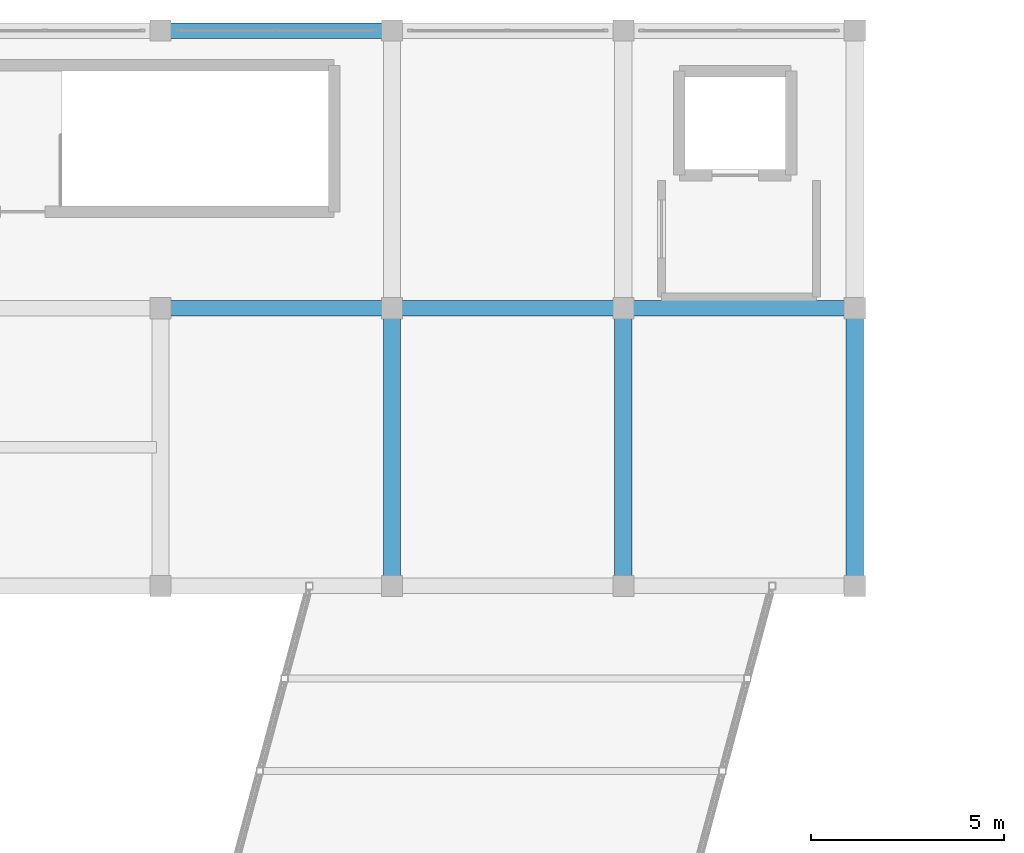
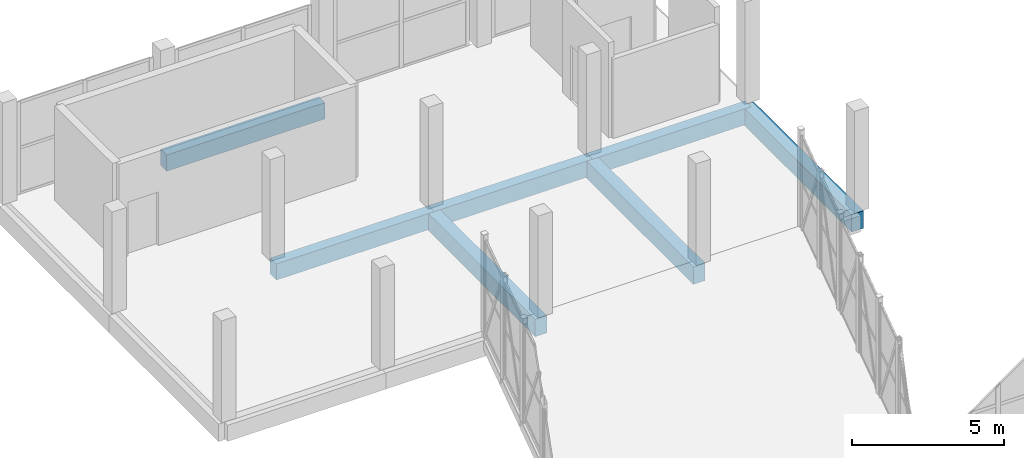
# One storey, part 91 of 127: 7 beams.
"""IFC4 building model written with IfcOpenShell, lengths in metres."""

import ifcopenshell
import ifcopenshell.guid

model = None  # the IFC model being written
_history = None  # IfcOwnerHistory: only IFC2X3 demands one
_inside = {}  # id of a spatial element -> (the spatial element, [elements in it])
_under = {}  # id of a project, library or spatial element -> (it, [spatial elements below it])
_declared = {}  # id of a project -> (the project, [libraries it declares])
_typed = {}  # id of a type object -> (the type object, [elements of that type])
_made_of = {}  # id of a material, layer set ... -> (it, [elements and type objects made of it])


def new_model(schema):
    """Start an empty IFC model of exactly this schema.

    Asked for "IFC4X3", IfcOpenShell would pick the latest addendum, in which some entities
    have other attributes; the version numbers below select the first issue.
    IFC2X3 requires an IfcOwnerHistory on every rooted entity: one is made here for all.
    """
    global model, _history
    if schema == "IFC4X3":
        model = ifcopenshell.file(schema_version=(4, 3, 0, 0))
    else:
        model = ifcopenshell.file(schema=schema)
    _inside.clear()
    _under.clear()
    _declared.clear()
    _typed.clear()
    _made_of.clear()
    _history = None
    if model.schema == "IFC2X3":
        org = make("IfcOrganization", Name="unknown")
        user = make(
            "IfcPersonAndOrganization",
            ThePerson=make("IfcPerson", FamilyName="unknown"),
            TheOrganization=org,
        )
        app = make(
            "IfcApplication",
            ApplicationDeveloper=org,
            Version="unknown",
            ApplicationFullName="unknown",
            ApplicationIdentifier="unknown",
        )
        _history = make(
            "IfcOwnerHistory",
            OwningUser=user,
            OwningApplication=app,
            ChangeAction="ADDED",
            CreationDate=0,
        )
    return model


def make(cls, **values):
    """One entity of the class cls with the attributes given. An attribute that is None is left unset."""
    return model.create_entity(
        cls, **{name: value for name, value in values.items() if value is not None}
    )


def rooted(cls, **values):
    """An entity with a GlobalId (a new one), such as an element, a storey or a relation."""
    return make(cls, GlobalId=ifcopenshell.guid.new(), OwnerHistory=_history, **values)


def si_unit(unit_type, name, prefix=None):
    """IfcSIUnit, for example si_unit("LENGTHUNIT", "METRE", prefix="MILLI")."""
    return make("IfcSIUnit", UnitType=unit_type, Prefix=prefix, Name=name)


def assignment(units):
    """IfcUnitAssignment: the units of a project."""
    return None if units is None else make("IfcUnitAssignment", Units=units)


def point(xyz):
    """IfcCartesianPoint."""
    return None if xyz is None else make("IfcCartesianPoint", Coordinates=xyz)


def direction(xyz):
    """IfcDirection."""
    return None if xyz is None else make("IfcDirection", DirectionRatios=xyz)


def frame(location, z_axis=None, x_axis=None):
    """IfcAxis2Placement3D, a coordinate frame: its origin and axes. An axis left out is left unset."""
    return make(
        "IfcAxis2Placement3D",
        Location=point(location),
        Axis=direction(z_axis),
        RefDirection=direction(x_axis),
    )


def frame_2d(location, x_axis=None):
    """IfcAxis2Placement2D, a coordinate frame in the plane: its origin and x axis."""
    return make(
        "IfcAxis2Placement2D", Location=point(location), RefDirection=direction(x_axis)
    )


def origin():
    """The frame at (0, 0, 0) with its axes left unset."""
    return frame((0.0, 0.0, 0.0))


def origin_2d():
    """The frame at (0, 0) in the plane with its x axis left unset."""
    return frame_2d((0.0, 0.0))


def place(relative_to, where):
    """IfcLocalPlacement: puts the frame where relative to a parent placement (None: the world)."""
    return make(
        "IfcLocalPlacement", PlacementRelTo=relative_to, RelativePlacement=where
    )


def context(
    kind, dimensions, precision=None, world=None, true_north=None, identifier=None
):
    """IfcGeometricRepresentationContext, for example the 3D "Model" context."""
    return make(
        "IfcGeometricRepresentationContext",
        ContextIdentifier=identifier,
        ContextType=kind,
        CoordinateSpaceDimension=dimensions,
        Precision=precision,
        WorldCoordinateSystem=world,
        TrueNorth=true_north,
    )


def subcontext(parent, identifier, kind, view, scale=None):
    """IfcGeometricRepresentationSubContext, for example "Body" below "Model"."""
    return make(
        "IfcGeometricRepresentationSubContext",
        ContextIdentifier=identifier,
        ContextType=kind,
        ParentContext=parent,
        TargetScale=scale,
        TargetView=view,
    )


def project(units=None, contexts=None):
    """IfcProject with its units and contexts."""
    return rooted(
        "IfcProject",
        Name="project",
        RepresentationContexts=contexts,
        UnitsInContext=assignment(units),
    )


def spatial(cls, under=None, at=None, **own):
    """A site, building, storey or space (cls), placed at a placement, below another one or the project."""
    s = rooted(cls, ObjectPlacement=at, **own)
    if under is not None:
        _under.setdefault(under.id(), (under, []))[1].append(s)
    return s


def profile(cls, at=None, kind="AREA", **sizes):
    """A parametric profile (cls). Its sizes go by their IFC names, for example OverallWidth=200.0."""
    return make(cls, ProfileType=kind, Position=at, **sizes)


def rectangle(**sizes):
    """IfcRectangleProfileDef."""
    return profile("IfcRectangleProfileDef", **sizes)


def extrude(swept, where, along, depth):
    """IfcExtrudedAreaSolid: the profile swept, set in the frame where, extruded along a direction by depth."""
    return make(
        "IfcExtrudedAreaSolid",
        SweptArea=swept,
        Position=where,
        ExtrudedDirection=direction(along),
        Depth=depth,
    )


def shape(context_of_items, identifier, shape_type, items):
    """IfcShapeRepresentation: the items that make up one representation, for example the "Body"."""
    return make(
        "IfcShapeRepresentation",
        ContextOfItems=context_of_items,
        RepresentationIdentifier=identifier,
        RepresentationType=shape_type,
        Items=items,
    )


def material(Name=None, Category=None):
    """IfcMaterial."""
    return make("IfcMaterial", Name=Name, Category=Category)


def material_profile(
    of_material, cross_section, Name=None, Category=None, Priority=None
):
    """IfcMaterialProfile: a cross section and its material."""
    return make(
        "IfcMaterialProfile",
        Name=Name,
        Material=of_material,
        Profile=cross_section,
        Priority=Priority,
        Category=Category,
    )


def profile_set(profiles, Name=None, composite=None):
    """IfcMaterialProfileSet."""
    return make(
        "IfcMaterialProfileSet",
        Name=Name,
        MaterialProfiles=profiles,
        CompositeProfile=composite,
    )


def made_of(thing, what):
    """Note that an element or type object is made of a material, layer set ...; save() writes the relation."""
    if what is not None:
        _made_of.setdefault(what.id(), (what, []))[1].append(thing)
    return thing


def type_object(cls, material=None, **own):
    """A type object (cls), such as IfcWallType, which elements share."""
    return made_of(rooted(cls, **own), material)


def element(
    cls,
    number,
    at=None,
    inside=None,
    cuts=None,
    type_object=None,
    material=None,
    context=None,
    identifier="Body",
    shape_type=None,
    held_by="IfcProductDefinitionShape",
    body=None,
    shapes=None,
    **own,
):
    """One element of the class cls, such as IfcWall. Its Tag is "e" and its number.

    at: its placement. inside: the storey or other place that contains it. cuts: it is an
    opening in that element (IfcRelVoidsElement). A single representation is given by context,
    identifier, shape_type and body (its items); several are given by shapes. held_by: the class
    of the entity that holds the representations. save() writes the other relations.
    """
    e = rooted(cls, Tag="e%d" % number, ObjectPlacement=at, **own)
    if body is not None:
        shapes = [shape(context, identifier, shape_type, body)]
    if shapes is not None:
        e.Representation = make(held_by, Representations=shapes)
    if inside is not None:
        _inside.setdefault(inside.id(), (inside, []))[1].append(e)
    if cuts is not None:
        rooted(
            "IfcRelVoidsElement", RelatingBuildingElement=cuts, RelatedOpeningElement=e
        )
    if type_object is not None:
        _typed.setdefault(type_object.id(), (type_object, []))[1].append(e)
    return made_of(e, material)


def aggregate(whole, parts):
    """IfcRelAggregates: a whole, such as a stair, and the parts it consists of."""
    return rooted("IfcRelAggregates", RelatingObject=whole, RelatedObjects=parts)


def save(model, path):
    """Write the relations noted so far, then the file.

    IfcRelAggregates (storeys below a building ...), IfcRelContainedInSpatialStructure (elements
    in a storey), IfcRelDefinesByType, IfcRelAssociatesMaterial and IfcRelDeclares: one each for
    every whole, place, type object, material and project.
    """
    for whole, parts in _under.values():
        aggregate(whole, parts)
    for where, things in _inside.values():
        rooted(
            "IfcRelContainedInSpatialStructure",
            RelatedElements=things,
            RelatingStructure=where,
        )
    for kind, things in _typed.values():
        rooted("IfcRelDefinesByType", RelatedObjects=things, RelatingType=kind)
    for what, things in _made_of.values():
        rooted("IfcRelAssociatesMaterial", RelatedObjects=things, RelatingMaterial=what)
    for by, libraries in _declared.values():
        rooted("IfcRelDeclares", RelatingContext=by, RelatedDefinitions=libraries)
    model.write(path)


model = new_model("IFC4")

# Units and contexts
model_context = context("Model", 3, precision=1e-05, world=origin(), true_north=direction((0.0, 1.0)))
body_context = subcontext(model_context, "Body", "Model", "MODEL_VIEW")
ifc_project = project(units=[si_unit("LENGTHUNIT", "METRE"), si_unit("AREAUNIT", "SQUARE_METRE"), si_unit("VOLUMEUNIT", "CUBIC_METRE"), si_unit("PLANEANGLEUNIT", "RADIAN"), si_unit("MASSUNIT", "GRAM", prefix="KILO")], contexts=[model_context])

# Site, building, storey
site_placement = place(None, origin())
site = spatial("IfcSite", under=ifc_project, at=site_placement, CompositionType="ELEMENT")
building_placement = place(site_placement, origin())
building = spatial("IfcBuilding", under=site, at=building_placement, Name="Dunvalen Ferry Terminal", CompositionType="ELEMENT")
storey_placement = place(building_placement, frame((0.0, 0.0, 5.760009765625)))
storey = spatial("IfcBuildingStorey", under=building, at=storey_placement, Name="L01", CompositionType="ELEMENT", Elevation=5.760009765625)

# Beams
ifc_material = material(Name="Concrete C40/50", Category="concrete")
ifc_material_profile_1 = material_profile(ifc_material, rectangle(XDim=0.39990234375, YDim=0.64990234375, at=origin_2d()), Name="Concrete C40/50")
ifc_profile_set_1 = profile_set([ifc_material_profile_1], Name="Concrete C40/50")
beam_type_1 = type_object("IfcBeamType", Name="STR-BM-RCB650", PredefinedType="BEAM", material=ifc_profile_set_1)
for number, where, z_axis, x_axis, name in (
    (1, (126.0, 108.0, -0.56494140625), (1.0, 0.0, 0.0), (0.0, 1.0, 0.0), "L01 V3B2 Primary Beam X-006"),
    (2, (132.0, 108.0, -0.56494140625), (1.0, 0.0, 0.0), (0.0, 1.0, 0.0), "L01 V3B2 Primary Beam X-007"),
    (3, (138.0, 108.0, -0.56494140625), (1.0, 0.0, 0.0), (0.0, 1.0, 0.0), "L01 V3B2 Primary Beam X-008"),
    (4, (126.0, 115.199951171875, -0.56494140625), (1.0, 0.0, 0.0), (0.0, 1.0, 0.0), "L01 V3B2 Primary Beam X-010"),
):
    element("IfcBeam", number, at=place(storey_placement, frame(where, z_axis=z_axis, x_axis=x_axis)), inside=storey, type_object=beam_type_1, Name=name, PredefinedType="BEAM", context=body_context, shape_type="SweptSolid", body=[
        extrude(rectangle(XDim=0.39990234375, YDim=0.64990234375, at=origin_2d()), origin(), (0.0, 0.0, 1.0), 6.0),
    ])
ifc_material_profile_2 = material_profile(ifc_material, rectangle(XDim=0.449951171875, YDim=0.699951171875, at=origin_2d()), Name="Concrete C40/50")
ifc_profile_set_2 = profile_set([ifc_material_profile_2], Name="Concrete C40/50")
beam_type_2 = type_object("IfcBeamType", Name="STR-BM-RCB700", PredefinedType="BEAM", material=ifc_profile_set_2)
for number, where, z_axis, x_axis, name in (
    (5, (132.0, 100.800048828125, -0.590087890625), (0.0, 1.0, 0.0), (-1.0, 0.0, 0.0), "L01 V3B2 Primary Girder Y-016"),
    (6, (138.0, 100.800048828125, -0.590087890625), (0.0, 1.0, 0.0), (-1.0, 0.0, 0.0), "L01 V3B2 Primary Girder Y-018"),
    (7, (144.0, 100.800048828125, -0.590087890625), (0.0, 1.0, 0.0), (-1.0, 0.0, 0.0), "L01 V3B2 Primary Girder Y-020"),
):
    element("IfcBeam", number, at=place(storey_placement, frame(where, z_axis=z_axis, x_axis=x_axis)), inside=storey, type_object=beam_type_2, Name=name, PredefinedType="BEAM", context=body_context, shape_type="SweptSolid", body=[
        extrude(rectangle(XDim=0.449951171875, YDim=0.699951171875, at=origin_2d()), origin(), (0.0, 0.0, 1.0), 7.199951171875),
    ])

save(model, "model.ifc")
